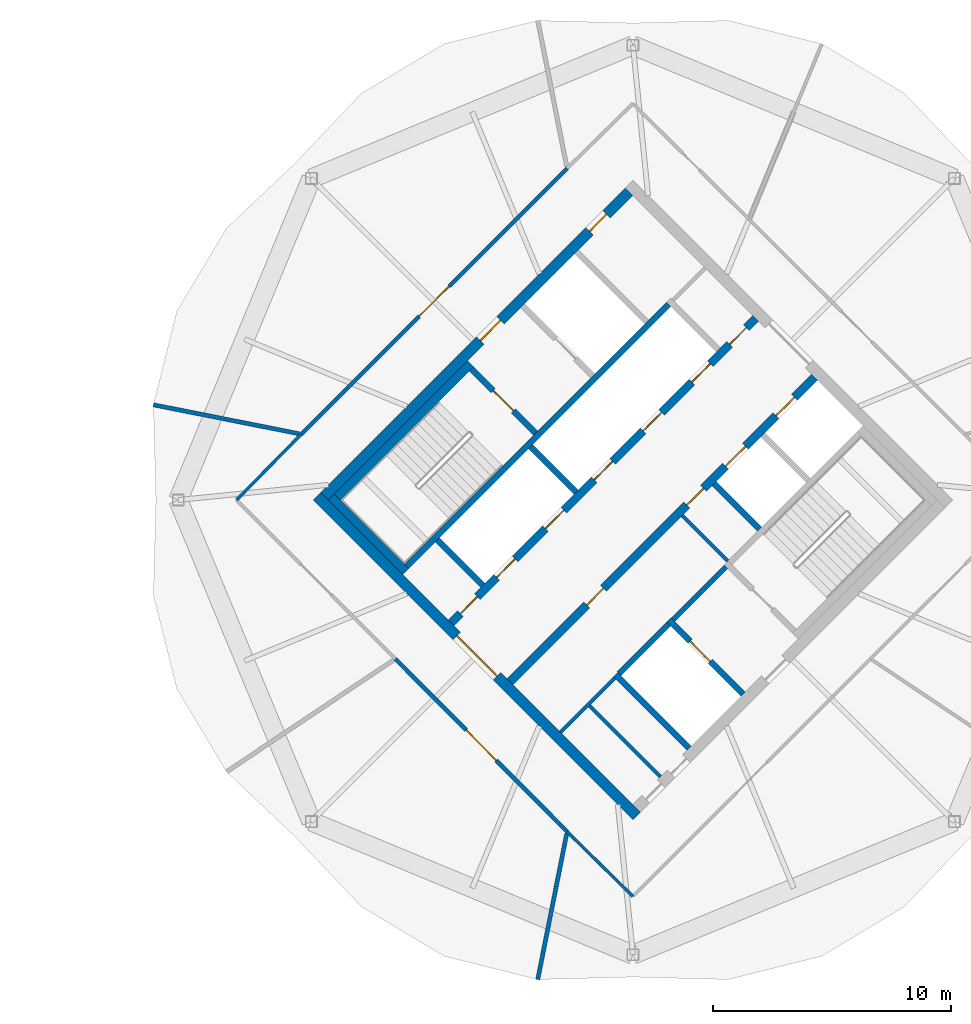
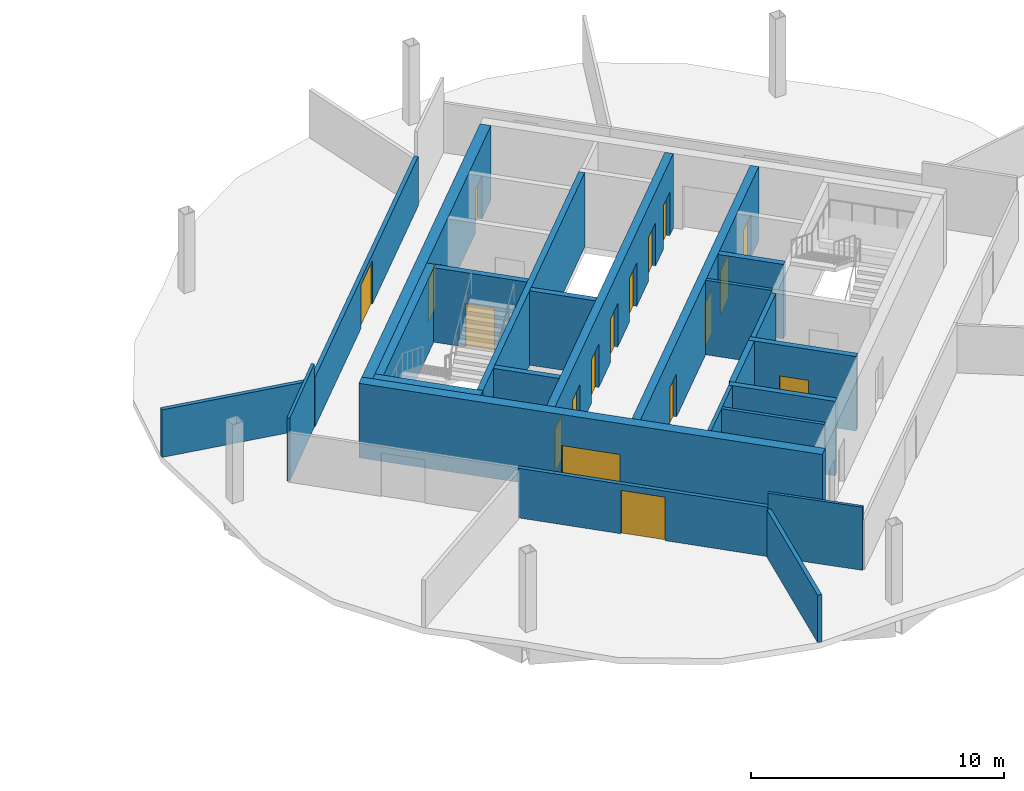
# One storey, part 7 of 10: 24 walls, 18 doors, 18 openings.
"""IFC4 building model written with IfcOpenShell, lengths in metres."""

from ifc_helpers import new_model, si_unit, direction, frame, frame_2d, origin, place, context, subcontext, project, spatial, rectangle, extrude, material, layer, layer_set, type_object, element, fill, save


model = new_model("IFC4")

# Units and contexts
model_context = context("Model", 3, precision=1e-05, world=origin(), true_north=direction((0.0, 1.0)))
body_context = subcontext(model_context, "Body", "Model", "MODEL_VIEW")
ifc_project = project(units=[si_unit("LENGTHUNIT", "METRE"), si_unit("AREAUNIT", "SQUARE_METRE"), si_unit("VOLUMEUNIT", "CUBIC_METRE"), si_unit("PLANEANGLEUNIT", "RADIAN"), si_unit("MASSUNIT", "GRAM", prefix="KILO")], contexts=[model_context])

# Site, building, storey
site_placement = place(None, origin())
site = spatial("IfcSite", under=ifc_project, at=site_placement, CompositionType="ELEMENT")
building_placement = place(site_placement, origin())
building = spatial("IfcBuilding", under=site, at=building_placement, Name="Ogive Gate Towers", CompositionType="ELEMENT")
storey_placement = place(building_placement, frame((0.0, 0.0, 236.699951171875)))
storey = spatial("IfcBuildingStorey", under=building, at=storey_placement, Name="L56", CompositionType="ELEMENT", Elevation=236.699951171875)

# Walls
ifc_material_1 = material(Name="Gypsum board acoustic partition")
ifc_layer_1 = layer(ifc_material_1, 0.175048828125)
ifc_layer_set_1 = layer_set([ifc_layer_1], Name="Acoustic partition 175")
wall_type_1 = type_object("IfcWallType", Name="Acoustic partition 175", PredefinedType="PARTITIONING", material=ifc_layer_set_1)
for number, where, z_axis, x_axis, name in (
    (1, (15.843505859375, 4.00048828125, 0.0), (0.0, 0.0, 1.0), (0.98086799922, -0.194674004702, 0.0), "Partition T2-L56-004"),
    (2, (31.99951171875, -20.156494140625, 0.0), (0.0, 0.0, 1.0), (0.194674004702, 0.98086799922, 0.0), "Partition T2-L56-006"),
):
    element("IfcWall", number, at=place(storey_placement, frame(where, z_axis=z_axis, x_axis=x_axis)), inside=storey, type_object=wall_type_1, Name=name, PredefinedType="PARTITIONING", context=body_context, shape_type="SweptSolid", body=[
        extrude(rectangle(XDim=6.251708984375, YDim=0.175048828125, at=frame_2d((3.1259765625, 0.0))), origin(), (0.0, 0.0, 1.0), 2.300048828125),
    ])

# Wall, opening, door
wall_1_placement = place(storey_placement, frame((26.0166015625, -6.677001953125, 0.0), z_axis=(0.0, 0.0, 1.0), x_axis=(0.704921475194, -0.70928535429, 0.0)))
wall_1 = element("IfcWall", 3, at=wall_1_placement, inside=storey, type_object=wall_type_1, Name="Partition T2-L56-010", PredefinedType="PARTITIONING", context=body_context, shape_type="SweptSolid", body=[
    extrude(rectangle(XDim=10.238037109375, YDim=0.175048828125, at=frame_2d((5.119140625, 0.0))), origin(), (0.0, 0.0, 1.0), 2.400146484375),
])
opening_1_placement = place(wall_1_placement, frame((4.218994140625, 0.0, 0.0)))
opening_1 = element("IfcOpeningElement", 4, at=opening_1_placement, cuts=wall_1, Name="Opening T2-L56-D02", PredefinedType="OPENING", context=body_context, shape_type="SweptSolid", body=[
    extrude(rectangle(XDim=1.800048828125, YDim=2.10009765625, at=frame_2d((0.89990234375, 1.050048828125))), frame((0.0, 0.09765625, 0.0), z_axis=(0.0, -1.0, 0.0), x_axis=(1.0, 0.0, 0.0)), (0.0, 0.0, 1.0), 0.195068359375),
])
ifc_material_2 = material(Name="Timber door", Category="wood")
door_type_1 = type_object("IfcDoorType", Name="Door pair 1800", OperationType="NOTDEFINED", PredefinedType="DOOR", material=ifc_material_2)
door_1_placement = place(opening_1_placement, origin())
door_1 = element("IfcDoor", 5, at=door_1_placement, inside=storey, type_object=door_type_1, Name="Door T2-L56-D02", OperationType="DOUBLE_DOOR_DOUBLE_SWING", OverallHeight=2.10009765625, OverallWidth=1.800048828125, PredefinedType="DOOR", context=body_context, shape_type="SweptSolid", body=[
    extrude(rectangle(XDim=1.800048828125, YDim=2.10009765625, at=frame_2d((0.89990234375, 1.050048828125))), frame((0.0, 0.02490234375, 0.0), z_axis=(0.0, -1.0, 0.0), x_axis=(1.0, 0.0, 0.0)), (0.0, 0.0, 1.0), 0.050048828125),
])
fill(opening_1, door_1)

wall_2_placement = place(storey_placement, frame((33.233642578125, 13.938720703125, 0.0), z_axis=(0.0, 0.0, 1.0), x_axis=(-0.707106781187, -0.707106781187, 0.0)))
wall_2 = element("IfcWall", 6, at=wall_2_placement, inside=storey, type_object=wall_type_1, Name="Partition T2-L56-018", PredefinedType="PARTITIONING", context=body_context, shape_type="SweptSolid", body=[
    extrude(rectangle(XDim=15.800048828125, YDim=0.175048828125, at=frame_2d((7.89990234375, 0.0))), origin(), (0.0, 0.0, 1.0), 2.400146484375),
])
opening_2_placement = place(wall_2_placement, frame((7.0, 0.0, 0.0)))
opening_2 = element("IfcOpeningElement", 7, at=opening_2_placement, cuts=wall_2, Name="Opening T2-L56-D07", PredefinedType="OPENING", context=body_context, shape_type="SweptSolid", body=[
    extrude(rectangle(XDim=1.800048828125, YDim=2.10009765625, at=frame_2d((0.89990234375, 1.050048828125))), frame((0.0, 0.09765625, 0.0), z_axis=(0.0, -1.0, 0.0), x_axis=(1.0, 0.0, 0.0)), (0.0, 0.0, 1.0), 0.195068359375),
])
door_2_placement = place(opening_2_placement, origin())
door_2 = element("IfcDoor", 8, at=door_2_placement, inside=storey, type_object=door_type_1, Name="Door T2-L56-D07", OperationType="DOUBLE_DOOR_DOUBLE_SWING", OverallHeight=2.10009765625, OverallWidth=1.800048828125, PredefinedType="DOOR", context=body_context, shape_type="SweptSolid", body=[
    extrude(rectangle(XDim=1.800048828125, YDim=2.10009765625, at=frame_2d((0.89990234375, 1.050048828125))), frame((0.0, 0.02490234375, 0.0), z_axis=(0.0, -1.0, 0.0), x_axis=(1.0, 0.0, 0.0)), (0.0, 0.0, 1.0), 0.050048828125),
])
fill(opening_2, door_2)

# Wall
ifc_material_3 = material(Name="Masonry blockwork", Category="masonry")
ifc_layer_2 = layer(ifc_material_3, 0.199951171875)
ifc_layer_set_2 = layer_set([ifc_layer_2], Name="Blockwork wall 200 mm")
wall_type_2 = type_object("IfcWallType", Name="Blockwork wall 200 mm", PredefinedType="PARTITIONING", material=ifc_layer_set_2)
wall_3_placement = place(storey_placement, frame((37.679443359375, -5.0380859375, 0.0), z_axis=(0.0, 0.0, 1.0), x_axis=(0.707106781187, 0.707106781187, 0.0)))
element("IfcWall", 9, at=wall_3_placement, inside=storey, type_object=wall_type_2, Name="T2 L56 Blockwork wall 200 mm", PredefinedType="PARTITIONING", context=body_context, shape_type="SweptSolid", body=[
    extrude(rectangle(XDim=3.14990234375, YDim=0.199951171875, at=frame_2d((1.574951171875, 0.0))), origin(), (0.0, 0.0, 1.0), 3.60009765625),
])

# Wall, openings, doors
ifc_material_4 = material(Name="Concrete C60/75", Category="concrete")
ifc_layer_3 = layer(ifc_material_4, 0.449951171875)
ifc_layer_set_3 = layer_set([ifc_layer_3], Name="Core wall 450 mm")
wall_type_3 = type_object("IfcWallType", Name="Core wall 450 mm", PredefinedType="SHEAR", material=ifc_layer_set_3)
wall_4_placement = place(storey_placement, frame((23.042236328125, 0.1591796875, 0.0), z_axis=(0.0, 0.0, 1.0), x_axis=(0.707106781187, 0.707106781187, 0.0)))
wall_4 = element("IfcWall", 10, at=wall_4_placement, inside=storey, type_object=wall_type_3, Name="T2 L56 Core wall 450 mm", PredefinedType="SHEAR", context=body_context, shape_type="SweptSolid", body=[
    extrude(rectangle(XDim=18.099853515625, YDim=0.449951171875, at=frame_2d((9.0498046875, 0.0))), origin(), (0.0, 0.0, 1.0), 3.60009765625),
])
opening_3_placement = place(wall_4_placement, frame((9.25, 0.0, 0.0)))
opening_3 = element("IfcOpeningElement", 11, at=opening_3_placement, cuts=wall_4, Name="Opening KD-T2-L56-18", PredefinedType="OPENING", context=body_context, shape_type="SweptSolid", body=[
    extrude(rectangle(XDim=1.199951171875, YDim=2.10009765625, at=frame_2d((0.60009765625, 1.050048828125))), frame((0.0, 0.23486328125, 0.0), z_axis=(0.0, -1.0, 0.0), x_axis=(1.0, 0.0, 0.0)), (0.0, 0.0, 1.0), 0.469970703125),
])
opening_4_placement = place(wall_4_placement, frame((15.75, 0.0, 0.0)))
opening_4 = element("IfcOpeningElement", 12, at=opening_4_placement, cuts=wall_4, Name="Opening KD-T2-L56-20", PredefinedType="OPENING", context=body_context, shape_type="SweptSolid", body=[
    extrude(rectangle(XDim=1.0, YDim=2.10009765625, at=frame_2d((0.5, 1.050048828125))), frame((0.0, 0.23486328125, 0.0), z_axis=(0.0, -1.0, 0.0), x_axis=(1.0, 0.0, 0.0)), (0.0, 0.0, 1.0), 0.469970703125),
])
door_type_2 = type_object("IfcDoorType", Name="Accessible WC door 1000 x 2100", OperationType="NOTDEFINED", PredefinedType="DOOR", material=ifc_material_2)
door_3_placement = place(opening_4_placement, origin())
door_3 = element("IfcDoor", 13, at=door_3_placement, inside=storey, type_object=door_type_2, Name="T2 L56 Core door", OperationType="SINGLE_SWING_LEFT", OverallHeight=2.10009765625, OverallWidth=1.0, PredefinedType="DOOR", context=body_context, shape_type="SweptSolid", body=[
    extrude(rectangle(XDim=1.0, YDim=2.10009765625, at=frame_2d((0.5, 1.050048828125))), frame((0.0, 0.02490234375, 0.0), z_axis=(0.0, -1.0, 0.0), x_axis=(1.0, 0.0, 0.0)), (0.0, 0.0, 1.0), 0.050048828125),
])
fill(opening_4, door_3)
ifc_material_5 = material(Name="Steel fire door", Category="steel")
door_type_3 = type_object("IfcDoorType", Name="Core door FD60S 1200 x 2100", OperationType="NOTDEFINED", PredefinedType="DOOR", material=ifc_material_5)
door_4_placement = place(opening_3_placement, origin())
door_4 = element("IfcDoor", 14, at=door_4_placement, inside=storey, type_object=door_type_3, Name="T2 L56 Fire-fighting lobby door", OperationType="SINGLE_SWING_LEFT", OverallHeight=2.10009765625, OverallWidth=1.199951171875, PredefinedType="DOOR", context=body_context, shape_type="SweptSolid", body=[
    extrude(rectangle(XDim=1.199951171875, YDim=2.10009765625, at=frame_2d((0.60009765625, 1.050048828125))), frame((0.0, 0.02490234375, 0.0), z_axis=(0.0, -1.0, 0.0), x_axis=(1.0, 0.0, 0.0)), (0.0, 0.0, 1.0), 0.050048828125),
])
fill(opening_3, door_4)

# Wall, opening, door
wall_5_placement = place(storey_placement, frame((36.1591796875, -13.27587890625, 0.0), z_axis=(0.0, 0.0, 1.0), x_axis=(-0.707106781187, 0.707106781187, 0.0)))
wall_5 = element("IfcWall", 15, at=wall_5_placement, inside=storey, type_object=wall_type_3, Name="T2 L56 Core wall 450 mm", PredefinedType="SHEAR", context=body_context, shape_type="SweptSolid", body=[
    extrude(rectangle(XDim=19.0, YDim=0.449951171875, at=frame_2d((9.5, 0.0))), origin(), (0.0, 0.0, 1.0), 3.60009765625),
])
opening_5_placement = place(wall_5_placement, frame((8.300048828125, 0.0, 0.0)))
opening_5 = element("IfcOpeningElement", 16, at=opening_5_placement, cuts=wall_5, Name="Opening KD-T2-L56-01", PredefinedType="OPENING", context=body_context, shape_type="SweptSolid", body=[
    extrude(rectangle(XDim=2.39990234375, YDim=2.10009765625, at=frame_2d((1.199951171875, 1.050048828125))), frame((0.0, 0.23486328125, 0.0), z_axis=(0.0, -1.0, 0.0), x_axis=(1.0, 0.0, 0.0)), (0.0, 0.0, 1.0), 0.469970703125),
])
door_type_4 = type_object("IfcDoorType", Name="Core double door FD60S 2400 x 2100", OperationType="DOUBLE_DOOR_SINGLE_SWING", PredefinedType="DOOR", material=ifc_material_5)
door_5_placement = place(opening_5_placement, origin())
door_5 = element("IfcDoor", 17, at=door_5_placement, inside=storey, type_object=door_type_4, Name="T2 L56 Core door double", OperationType="DOUBLE_DOOR_SINGLE_SWING", OverallHeight=2.10009765625, OverallWidth=2.39990234375, PredefinedType="DOOR", context=body_context, shape_type="SweptSolid", body=[
    extrude(rectangle(XDim=2.39990234375, YDim=2.10009765625, at=frame_2d((1.199951171875, 1.050048828125))), frame((0.0, 0.02490234375, 0.0), z_axis=(0.0, -1.0, 0.0), x_axis=(1.0, 0.0, 0.0)), (0.0, 0.0, 1.0), 0.050048828125),
])
fill(opening_5, door_5)

# Walls
ifc_material_6 = material(Name="Gypsum board partition")
ifc_layer_4 = layer(ifc_material_6, 0.125)
ifc_layer_set_4 = layer_set([ifc_layer_4], Name="Partition 125")
wall_type_4 = type_object("IfcWallType", Name="Partition 125", PredefinedType="PARTITIONING", material=ifc_layer_set_4)
for number, where, z_axis, x_axis, name in (
    (18, (22.061279296875, 2.766357421875, 0.0), (0.0, 0.0, 1.0), (-0.701199130072, -0.712965483026, 0.0), "Partition T2-L56-009"),
    (19, (33.233642578125, -13.938720703125, 0.0), (0.0, 0.0, 1.0), (0.712965483026, -0.701199130072, 0.0), "Partition T2-L56-012"),
):
    element("IfcWall", number, at=place(storey_placement, frame(where, z_axis=z_axis, x_axis=x_axis)), inside=storey, type_object=wall_type_4, Name=name, PredefinedType="PARTITIONING", context=body_context, shape_type="SweptSolid", body=[
        extrude(rectangle(XDim=3.880126953125, YDim=0.125, at=frame_2d((1.93994140625, 0.0))), origin(), (0.0, 0.0, 1.0), 3.050048828125),
    ])
ifc_layer_5 = layer(ifc_material_6, 0.14990234375)
ifc_layer_set_5 = layer_set([ifc_layer_5], Name="Room partition 150 mm")
wall_type_5 = type_object("IfcWallType", Name="Room partition 150 mm", PredefinedType="PARTITIONING", material=ifc_layer_set_5)
wall_6_placement = place(storey_placement, frame((32.95947265625, -9.758056640625, 0.0), z_axis=(0.0, 0.0, 1.0), x_axis=(0.707144631829, 0.707068928518, 0.0)))
element("IfcWall", 20, at=wall_6_placement, inside=storey, type_object=wall_type_5, Name="T2 L56 Room partition 150 mm", PredefinedType="PARTITIONING", context=body_context, shape_type="SweptSolid", body=[
    extrude(rectangle(XDim=3.224853515625, YDim=0.14990234375, at=frame_2d((1.6123046875, 0.0))), origin(), (0.0, 0.0, 1.0), 3.60009765625),
])
wall_7_placement = place(storey_placement, frame((37.166748046875, -11.6318359375, 0.0), z_axis=(0.0, 0.0, 1.0), x_axis=(-0.707106781187, 0.707106781187, 0.0)))
element("IfcWall", 21, at=wall_7_placement, inside=storey, type_object=wall_type_5, Name="T2 L56 Room partition 150 mm", PredefinedType="PARTITIONING", context=body_context, shape_type="SweptSolid", body=[
    extrude(rectangle(XDim=4.22509765625, YDim=0.14990234375, at=frame_2d((2.112548828125, 0.0))), origin(), (0.0, 0.0, 1.0), 3.60009765625),
])
wall_8_placement = place(storey_placement, frame((39.9775390625, -2.563232421875, 0.0), z_axis=(0.0, 0.0, 1.0), x_axis=(-0.707106781187, 0.707106781187, 0.0)))
element("IfcWall", 22, at=wall_8_placement, inside=storey, type_object=wall_type_5, Name="T2 L56 Room partition 150 mm", PredefinedType="PARTITIONING", context=body_context, shape_type="SweptSolid", body=[
    extrude(rectangle(XDim=2.699951171875, YDim=0.14990234375, at=frame_2d((1.35009765625, 0.0))), origin(), (0.0, 0.0, 1.0), 3.60009765625),
])
ifc_layer_6 = layer(ifc_material_4, 0.25)
ifc_layer_set_6 = layer_set([ifc_layer_6], Name="Shaft wall 250 mm")
wall_type_6 = type_object("IfcWallType", Name="Shaft wall 250 mm", PredefinedType="SHEAR", material=ifc_layer_set_6)
wall_9_placement = place(storey_placement, frame((35.41650390625, -7.30078125, 0.0), z_axis=(0.0, 0.0, 1.0), x_axis=(0.707148157867, 0.707065402085, 0.0)))
element("IfcWall", 23, at=wall_9_placement, inside=storey, type_object=wall_type_6, Name="T2 L56 Shaft wall 250 mm", PredefinedType="SHEAR", context=body_context, shape_type="SweptSolid", body=[
    extrude(rectangle(XDim=2.9501953125, YDim=0.25, at=frame_2d((1.47509765625, 0.0))), origin(), (0.0, 0.0, 1.0), 3.60009765625),
])
wall_10_placement = place(storey_placement, frame((26.489501953125, -2.793212890625, 0.0), z_axis=(0.0, 0.0, 1.0), x_axis=(0.707098943647, 0.70711461864, 0.0)))
element("IfcWall", 24, at=wall_10_placement, inside=storey, type_object=wall_type_6, Name="T2 L56 Shaft wall 250 mm", PredefinedType="SHEAR", context=body_context, shape_type="SweptSolid", body=[
    extrude(rectangle(XDim=15.5751953125, YDim=0.25, at=frame_2d((7.78759765625, 0.0))), origin(), (0.0, 0.0, 1.0), 3.60009765625),
])
wall_11_placement = place(storey_placement, frame((29.689208984375, -3.588623046875, 0.0), z_axis=(0.0, 0.0, 1.0), x_axis=(-0.707151988282, 0.707061571201, 0.0)))
element("IfcWall", 25, at=wall_11_placement, inside=storey, type_object=wall_type_6, Name="T2 L56 Shaft wall 250 mm", PredefinedType="SHEAR", context=body_context, shape_type="SweptSolid", body=[
    extrude(rectangle(XDim=2.7001953125, YDim=0.25, at=frame_2d((1.35009765625, 0.0))), origin(), (0.0, 0.0, 1.0), 3.60009765625),
])
wall_12_placement = place(storey_placement, frame((38.368896484375, -10.4296875, 0.0), z_axis=(0.0, 0.0, 1.0), x_axis=(-0.707134682099, 0.707078879173, 0.0)))
element("IfcWall", 26, at=wall_12_placement, inside=storey, type_object=wall_type_6, Name="T2 L56 Shaft wall 250 mm", PredefinedType="SHEAR", context=body_context, shape_type="SweptSolid", body=[
    extrude(rectangle(XDim=4.375, YDim=0.25, at=frame_2d((2.1875, 0.0))), origin(), (0.0, 0.0, 1.0), 3.60009765625),
])

# Wall, opening, door
wall_13_placement = place(storey_placement, frame((40.631591796875, -8.1669921875, 0.0), z_axis=(0.0, 0.0, 1.0), x_axis=(-0.707106781187, 0.707106781187, 0.0)))
wall_13 = element("IfcWall", 27, at=wall_13_placement, inside=storey, type_object=wall_type_6, Name="T2 L56 Shaft wall 250 mm", PredefinedType="SHEAR", context=body_context, shape_type="SweptSolid", body=[
    extrude(rectangle(XDim=4.425048828125, YDim=0.25, at=frame_2d((2.21240234375, 0.0))), origin(), (0.0, 0.0, 1.0), 3.60009765625),
])
opening_6_placement = place(wall_13_placement, frame((1.949951171875, 0.0, 0.0)))
opening_6 = element("IfcOpeningElement", 28, at=opening_6_placement, cuts=wall_13, Name="Opening LD-T2-L56-13", PredefinedType="OPENING", context=body_context, shape_type="SweptSolid", body=[
    extrude(rectangle(XDim=1.199951171875, YDim=2.10009765625, at=frame_2d((0.60009765625, 1.050048828125))), frame((0.0, 0.135009765625, 0.0), z_axis=(0.0, -1.0, 0.0), x_axis=(1.0, 0.0, 0.0)), (0.0, 0.0, 1.0), 0.27001953125),
])
ifc_material_7 = material(Name="Stainless steel landing door", Category="steel")
door_type_5 = type_object("IfcDoorType", Name="Landing door 1200 x 2100", OperationType="SLIDING_TO_LEFT", PredefinedType="DOOR", material=ifc_material_7)
door_6_placement = place(opening_6_placement, origin())
door_6 = element("IfcDoor", 29, at=door_6_placement, inside=storey, type_object=door_type_5, Name="T2 L56 Lift landing door FF2", OperationType="SLIDING_TO_LEFT", OverallHeight=2.10009765625, OverallWidth=1.199951171875, PredefinedType="DOOR", context=body_context, shape_type="SweptSolid", body=[
    extrude(rectangle(XDim=1.199951171875, YDim=2.10009765625, at=frame_2d((0.60009765625, 1.050048828125))), frame((0.0, 0.02490234375, 0.0), z_axis=(0.0, -1.0, 0.0), x_axis=(1.0, 0.0, 0.0)), (0.0, 0.0, 1.0), 0.050048828125),
])
fill(opening_6, door_6)

# Wall
wall_14_placement = place(storey_placement, frame((33.613525390625, 0.3359375, 0.0), z_axis=(0.0, 0.0, 1.0), x_axis=(-0.707106781187, 0.707106781187, 0.0)))
element("IfcWall", 30, at=wall_14_placement, inside=storey, type_object=wall_type_6, Name="T2 L56 Shaft wall 250 mm", PredefinedType="SHEAR", context=body_context, shape_type="SweptSolid", body=[
    extrude(rectangle(XDim=2.699951171875, YDim=0.25, at=frame_2d((1.35009765625, 0.0))), origin(), (0.0, 0.0, 1.0), 3.60009765625),
])

# Wall, opening, door
wall_15_placement = place(storey_placement, frame((31.91650390625, 2.810791015625, 0.0), z_axis=(0.0, 0.0, 1.0), x_axis=(-0.707106781187, 0.707106781187, 0.0)))
wall_15 = element("IfcWall", 31, at=wall_15_placement, inside=storey, type_object=wall_type_6, Name="T2 L56 Shaft wall 250 mm", PredefinedType="SHEAR", context=body_context, shape_type="SweptSolid", body=[
    extrude(rectangle(XDim=3.824951171875, YDim=0.25, at=frame_2d((1.91259765625, 0.0))), origin(), (0.0, 0.0, 1.0), 3.60009765625),
])
opening_7_placement = place(wall_15_placement, frame((1.324951171875, 0.0, 0.0)))
opening_7 = element("IfcOpeningElement", 32, at=opening_7_placement, cuts=wall_15, Name="Opening KD-T2-L56-16", PredefinedType="OPENING", context=body_context, shape_type="SweptSolid", body=[
    extrude(rectangle(XDim=1.199951171875, YDim=2.10009765625, at=frame_2d((0.60009765625, 1.050048828125))), frame((0.0, 0.135009765625, 0.0), z_axis=(0.0, -1.0, 0.0), x_axis=(1.0, 0.0, 0.0)), (0.0, 0.0, 1.0), 0.27001953125),
])
door_7_placement = place(opening_7_placement, origin())
door_7 = element("IfcDoor", 33, at=door_7_placement, inside=storey, type_object=door_type_3, Name="T2 L56 Stair door", OperationType="SINGLE_SWING_LEFT", OverallHeight=2.10009765625, OverallWidth=1.199951171875, PredefinedType="DOOR", context=body_context, shape_type="SweptSolid", body=[
    extrude(rectangle(XDim=1.199951171875, YDim=2.10009765625, at=frame_2d((0.60009765625, 1.050048828125))), frame((0.0, 0.02490234375, 0.0), z_axis=(0.0, -1.0, 0.0), x_axis=(1.0, 0.0, 0.0)), (0.0, 0.0, 1.0), 0.050048828125),
])
fill(opening_7, door_7)

# Wall
wall_16_placement = place(storey_placement, frame((41.321044921875, -1.2197265625, 0.0), z_axis=(0.0, 0.0, 1.0), x_axis=(-0.707106781187, 0.707106781187, 0.0)))
element("IfcWall", 34, at=wall_16_placement, inside=storey, type_object=wall_type_6, Name="T2 L56 Shaft wall 250 mm", PredefinedType="SHEAR", context=body_context, shape_type="SweptSolid", body=[
    extrude(rectangle(XDim=2.699951171875, YDim=0.25, at=frame_2d((1.35009765625, 0.0))), origin(), (0.0, 0.0, 1.0), 3.60009765625),
])

# Wall, openings, doors
ifc_layer_7 = layer(ifc_material_4, 0.35009765625)
ifc_layer_set_7 = layer_set([ifc_layer_7], Name="Spine wall 350 mm")
wall_type_7 = type_object("IfcWallType", Name="Spine wall 350 mm", PredefinedType="SHEAR", material=ifc_layer_set_7)
wall_17_placement = place(storey_placement, frame((30.838134765625, -7.63671875, 0.0), z_axis=(0.0, 0.0, 1.0), x_axis=(0.707106781187, 0.707106781187, 0.0)))
wall_17 = element("IfcWall", 35, at=wall_17_placement, inside=storey, type_object=wall_type_7, Name="T2 L56 Spine wall 350 mm", PredefinedType="SHEAR", context=body_context, shape_type="SweptSolid", body=[
    extrude(rectangle(XDim=18.099853515625, YDim=0.35009765625, at=frame_2d((9.0498046875, 0.0))), origin(), (0.0, 0.0, 1.0), 3.60009765625),
])
opening_8_placement = place(wall_17_placement, frame((12.800048828125, 0.0, 0.0)))
opening_8 = element("IfcOpeningElement", 36, at=opening_8_placement, cuts=wall_17, Name="Opening LD-T2-L56-10", PredefinedType="OPENING", context=body_context, shape_type="SweptSolid", body=[
    extrude(rectangle(XDim=1.199951171875, YDim=2.10009765625, at=frame_2d((0.60009765625, 1.050048828125))), frame((0.0, 0.18505859375, 0.0), z_axis=(0.0, -1.0, 0.0), x_axis=(1.0, 0.0, 0.0)), (0.0, 0.0, 1.0), 0.3701171875),
])
opening_9_placement = place(wall_17_placement, frame((15.800048828125, 0.0, 0.0)))
opening_9 = element("IfcOpeningElement", 37, at=opening_9_placement, cuts=wall_17, Name="Opening LD-T2-L56-11", PredefinedType="OPENING", context=body_context, shape_type="SweptSolid", body=[
    extrude(rectangle(XDim=1.10009765625, YDim=2.10009765625, at=frame_2d((0.550048828125, 1.050048828125))), frame((0.0, 0.18505859375, 0.0), z_axis=(0.0, -1.0, 0.0), x_axis=(1.0, 0.0, 0.0)), (0.0, 0.0, 1.0), 0.3701171875),
])
opening_10_placement = place(wall_17_placement, frame((4.550048828125, 0.0, 0.0)))
opening_10 = element("IfcOpeningElement", 38, at=opening_10_placement, cuts=wall_17, Name="Opening KD-T2-L56-14", PredefinedType="OPENING", context=body_context, shape_type="SweptSolid", body=[
    extrude(rectangle(XDim=1.0, YDim=2.10009765625, at=frame_2d((0.5, 1.050048828125))), frame((0.0, 0.18505859375, 0.0), z_axis=(0.0, -1.0, 0.0), x_axis=(1.0, 0.0, 0.0)), (0.0, 0.0, 1.0), 0.3701171875),
])
opening_11_placement = place(wall_17_placement, frame((10.5, 0.0, 0.0)))
opening_11 = element("IfcOpeningElement", 39, at=opening_11_placement, cuts=wall_17, Name="Opening KD-T2-L56-15", PredefinedType="OPENING", context=body_context, shape_type="SweptSolid", body=[
    extrude(rectangle(XDim=1.0, YDim=2.10009765625, at=frame_2d((0.5, 1.050048828125))), frame((0.0, 0.18505859375, 0.0), z_axis=(0.0, -1.0, 0.0), x_axis=(1.0, 0.0, 0.0)), (0.0, 0.0, 1.0), 0.3701171875),
])
door_type_6 = type_object("IfcDoorType", Name="Core door FD60S 1000 x 2100", OperationType="NOTDEFINED", PredefinedType="DOOR", material=ifc_material_5)
door_8_placement = place(opening_10_placement, origin())
door_8 = element("IfcDoor", 40, at=door_8_placement, inside=storey, type_object=door_type_6, Name="T2 L56 Core door", OperationType="SINGLE_SWING_LEFT", OverallHeight=2.10009765625, OverallWidth=1.0, PredefinedType="DOOR", context=body_context, shape_type="SweptSolid", body=[
    extrude(rectangle(XDim=1.0, YDim=2.10009765625, at=frame_2d((0.5, 1.050048828125))), frame((0.0, 0.02490234375, 0.0), z_axis=(0.0, -1.0, 0.0), x_axis=(1.0, 0.0, 0.0)), (0.0, 0.0, 1.0), 0.050048828125),
])
fill(opening_10, door_8)
door_9_placement = place(opening_11_placement, origin())
door_9 = element("IfcDoor", 41, at=door_9_placement, inside=storey, type_object=door_type_6, Name="T2 L56 Core door", OperationType="SINGLE_SWING_RIGHT", OverallHeight=2.10009765625, OverallWidth=1.0, PredefinedType="DOOR", context=body_context, shape_type="SweptSolid", body=[
    extrude(rectangle(XDim=1.0, YDim=2.10009765625, at=frame_2d((0.5, 1.050048828125))), frame((0.0, 0.02490234375, 0.0), z_axis=(0.0, -1.0, 0.0), x_axis=(1.0, 0.0, 0.0)), (0.0, 0.0, 1.0), 0.050048828125),
])
fill(opening_11, door_9)
door_type_7 = type_object("IfcDoorType", Name="Landing door 1100 x 2100", OperationType="SLIDING_TO_LEFT", PredefinedType="DOOR", material=ifc_material_7)
door_10_placement = place(opening_9_placement, origin())
door_10 = element("IfcDoor", 42, at=door_10_placement, inside=storey, type_object=door_type_7, Name="T2 L56 Lift landing door B6", OperationType="SLIDING_TO_LEFT", OverallHeight=2.10009765625, OverallWidth=1.10009765625, PredefinedType="DOOR", context=body_context, shape_type="SweptSolid", body=[
    extrude(rectangle(XDim=1.10009765625, YDim=2.10009765625, at=frame_2d((0.550048828125, 1.050048828125))), frame((0.0, 0.02490234375, 0.0), z_axis=(0.0, -1.0, 0.0), x_axis=(1.0, 0.0, 0.0)), (0.0, 0.0, 1.0), 0.050048828125),
])
fill(opening_9, door_10)
door_11_placement = place(opening_8_placement, origin())
door_11 = element("IfcDoor", 43, at=door_11_placement, inside=storey, type_object=door_type_5, Name="T2 L56 Lift landing door SVC", OperationType="SLIDING_TO_LEFT", OverallHeight=2.10009765625, OverallWidth=1.199951171875, PredefinedType="DOOR", context=body_context, shape_type="SweptSolid", body=[
    extrude(rectangle(XDim=1.199951171875, YDim=2.10009765625, at=frame_2d((0.60009765625, 1.050048828125))), frame((0.0, 0.02490234375, 0.0), z_axis=(0.0, -1.0, 0.0), x_axis=(1.0, 0.0, 0.0)), (0.0, 0.0, 1.0), 0.050048828125),
])
fill(opening_8, door_11)

wall_18_placement = place(storey_placement, frame((28.36328125, -5.161865234375, 0.0), z_axis=(0.0, 0.0, 1.0), x_axis=(0.707106781187, 0.707106781187, 0.0)))
wall_18 = element("IfcWall", 44, at=wall_18_placement, inside=storey, type_object=wall_type_7, Name="T2 L56 Spine wall 350 mm", PredefinedType="SHEAR", context=body_context, shape_type="SweptSolid", body=[
    extrude(rectangle(XDim=18.099853515625, YDim=0.35009765625, at=frame_2d((9.0498046875, 0.0))), origin(), (0.0, 0.0, 1.0), 3.60009765625),
])
opening_12_placement = place(wall_18_placement, frame((0.550048828125, 0.0, 0.0)))
opening_12 = element("IfcOpeningElement", 45, at=opening_12_placement, cuts=wall_18, Name="Opening KD-T2-L56-03", PredefinedType="OPENING", context=body_context, shape_type="SweptSolid", body=[
    extrude(rectangle(XDim=1.0, YDim=2.10009765625, at=frame_2d((0.5, 1.050048828125))), frame((0.0, 0.18505859375, 0.0), z_axis=(0.0, -1.0, 0.0), x_axis=(1.0, 0.0, 0.0)), (0.0, 0.0, 1.0), 0.3701171875),
])
opening_13_placement = place(wall_18_placement, frame((2.699951171875, 0.0, 0.0)))
opening_13 = element("IfcOpeningElement", 46, at=opening_13_placement, cuts=wall_18, Name="Opening LD-T2-L56-04", PredefinedType="OPENING", context=body_context, shape_type="SweptSolid", body=[
    extrude(rectangle(XDim=1.10009765625, YDim=2.10009765625, at=frame_2d((0.550048828125, 1.050048828125))), frame((0.0, 0.18505859375, 0.0), z_axis=(0.0, -1.0, 0.0), x_axis=(1.0, 0.0, 0.0)), (0.0, 0.0, 1.0), 0.3701171875),
])
opening_14_placement = place(wall_18_placement, frame((5.60009765625, 0.0, 0.0)))
opening_14 = element("IfcOpeningElement", 47, at=opening_14_placement, cuts=wall_18, Name="Opening LD-T2-L56-05", PredefinedType="OPENING", context=body_context, shape_type="SweptSolid", body=[
    extrude(rectangle(XDim=1.10009765625, YDim=2.10009765625, at=frame_2d((0.550048828125, 1.050048828125))), frame((0.0, 0.18505859375, 0.0), z_axis=(0.0, -1.0, 0.0), x_axis=(1.0, 0.0, 0.0)), (0.0, 0.0, 1.0), 0.3701171875),
])
opening_15_placement = place(wall_18_placement, frame((8.5, 0.0, 0.0)))
opening_15 = element("IfcOpeningElement", 48, at=opening_15_placement, cuts=wall_18, Name="Opening LD-T2-L56-06", PredefinedType="OPENING", context=body_context, shape_type="SweptSolid", body=[
    extrude(rectangle(XDim=1.10009765625, YDim=2.10009765625, at=frame_2d((0.550048828125, 1.050048828125))), frame((0.0, 0.18505859375, 0.0), z_axis=(0.0, -1.0, 0.0), x_axis=(1.0, 0.0, 0.0)), (0.0, 0.0, 1.0), 0.3701171875),
])
opening_16_placement = place(wall_18_placement, frame((11.39990234375, 0.0, 0.0)))
opening_16 = element("IfcOpeningElement", 49, at=opening_16_placement, cuts=wall_18, Name="Opening LD-T2-L56-07", PredefinedType="OPENING", context=body_context, shape_type="SweptSolid", body=[
    extrude(rectangle(XDim=1.10009765625, YDim=2.10009765625, at=frame_2d((0.550048828125, 1.050048828125))), frame((0.0, 0.18505859375, 0.0), z_axis=(0.0, -1.0, 0.0), x_axis=(1.0, 0.0, 0.0)), (0.0, 0.0, 1.0), 0.3701171875),
])
opening_17_placement = place(wall_18_placement, frame((14.300048828125, 0.0, 0.0)))
opening_17 = element("IfcOpeningElement", 50, at=opening_17_placement, cuts=wall_18, Name="Opening LD-T2-L56-08", PredefinedType="OPENING", context=body_context, shape_type="SweptSolid", body=[
    extrude(rectangle(XDim=1.10009765625, YDim=2.10009765625, at=frame_2d((0.550048828125, 1.050048828125))), frame((0.0, 0.18505859375, 0.0), z_axis=(0.0, -1.0, 0.0), x_axis=(1.0, 0.0, 0.0)), (0.0, 0.0, 1.0), 0.3701171875),
])
opening_18_placement = place(wall_18_placement, frame((16.550048828125, 0.0, 0.0)))
opening_18 = element("IfcOpeningElement", 51, at=opening_18_placement, cuts=wall_18, Name="Opening KD-T2-L56-09", PredefinedType="OPENING", context=body_context, shape_type="SweptSolid", body=[
    extrude(rectangle(XDim=1.0, YDim=2.10009765625, at=frame_2d((0.5, 1.050048828125))), frame((0.0, 0.18505859375, 0.0), z_axis=(0.0, -1.0, 0.0), x_axis=(1.0, 0.0, 0.0)), (0.0, 0.0, 1.0), 0.3701171875),
])
door_12_placement = place(opening_12_placement, origin())
door_12 = element("IfcDoor", 52, at=door_12_placement, inside=storey, type_object=door_type_6, Name="T2 L56 Core door", OperationType="SINGLE_SWING_RIGHT", OverallHeight=2.10009765625, OverallWidth=1.0, PredefinedType="DOOR", context=body_context, shape_type="SweptSolid", body=[
    extrude(rectangle(XDim=1.0, YDim=2.10009765625, at=frame_2d((0.5, 1.050048828125))), frame((0.0, 0.02490234375, 0.0), z_axis=(0.0, -1.0, 0.0), x_axis=(1.0, 0.0, 0.0)), (0.0, 0.0, 1.0), 0.050048828125),
])
fill(opening_12, door_12)
door_13_placement = place(opening_18_placement, origin())
door_13 = element("IfcDoor", 53, at=door_13_placement, inside=storey, type_object=door_type_6, Name="T2 L56 Core door", OperationType="SINGLE_SWING_RIGHT", OverallHeight=2.10009765625, OverallWidth=1.0, PredefinedType="DOOR", context=body_context, shape_type="SweptSolid", body=[
    extrude(rectangle(XDim=1.0, YDim=2.10009765625, at=frame_2d((0.5, 1.050048828125))), frame((0.0, 0.02490234375, 0.0), z_axis=(0.0, -1.0, 0.0), x_axis=(1.0, 0.0, 0.0)), (0.0, 0.0, 1.0), 0.050048828125),
])
fill(opening_18, door_13)
door_14_placement = place(opening_13_placement, origin())
door_14 = element("IfcDoor", 54, at=door_14_placement, inside=storey, type_object=door_type_7, Name="T2 L56 Lift landing door B1", OperationType="SLIDING_TO_LEFT", OverallHeight=2.10009765625, OverallWidth=1.10009765625, PredefinedType="DOOR", context=body_context, shape_type="SweptSolid", body=[
    extrude(rectangle(XDim=1.10009765625, YDim=2.10009765625, at=frame_2d((0.550048828125, 1.050048828125))), frame((0.0, 0.02490234375, 0.0), z_axis=(0.0, -1.0, 0.0), x_axis=(1.0, 0.0, 0.0)), (0.0, 0.0, 1.0), 0.050048828125),
])
fill(opening_13, door_14)
door_15_placement = place(opening_14_placement, origin())
door_15 = element("IfcDoor", 55, at=door_15_placement, inside=storey, type_object=door_type_7, Name="T2 L56 Lift landing door B2", OperationType="SLIDING_TO_LEFT", OverallHeight=2.10009765625, OverallWidth=1.10009765625, PredefinedType="DOOR", context=body_context, shape_type="SweptSolid", body=[
    extrude(rectangle(XDim=1.10009765625, YDim=2.10009765625, at=frame_2d((0.550048828125, 1.050048828125))), frame((0.0, 0.02490234375, 0.0), z_axis=(0.0, -1.0, 0.0), x_axis=(1.0, 0.0, 0.0)), (0.0, 0.0, 1.0), 0.050048828125),
])
fill(opening_14, door_15)
door_16_placement = place(opening_15_placement, origin())
door_16 = element("IfcDoor", 56, at=door_16_placement, inside=storey, type_object=door_type_7, Name="T2 L56 Lift landing door B3", OperationType="SLIDING_TO_LEFT", OverallHeight=2.10009765625, OverallWidth=1.10009765625, PredefinedType="DOOR", context=body_context, shape_type="SweptSolid", body=[
    extrude(rectangle(XDim=1.10009765625, YDim=2.10009765625, at=frame_2d((0.550048828125, 1.050048828125))), frame((0.0, 0.02490234375, 0.0), z_axis=(0.0, -1.0, 0.0), x_axis=(1.0, 0.0, 0.0)), (0.0, 0.0, 1.0), 0.050048828125),
])
fill(opening_15, door_16)
door_17_placement = place(opening_16_placement, origin())
door_17 = element("IfcDoor", 57, at=door_17_placement, inside=storey, type_object=door_type_7, Name="T2 L56 Lift landing door B4", OperationType="SLIDING_TO_LEFT", OverallHeight=2.10009765625, OverallWidth=1.10009765625, PredefinedType="DOOR", context=body_context, shape_type="SweptSolid", body=[
    extrude(rectangle(XDim=1.10009765625, YDim=2.10009765625, at=frame_2d((0.550048828125, 1.050048828125))), frame((0.0, 0.02490234375, 0.0), z_axis=(0.0, -1.0, 0.0), x_axis=(1.0, 0.0, 0.0)), (0.0, 0.0, 1.0), 0.050048828125),
])
fill(opening_16, door_17)
door_18_placement = place(opening_17_placement, origin())
door_18 = element("IfcDoor", 58, at=door_18_placement, inside=storey, type_object=door_type_7, Name="T2 L56 Lift landing door B5", OperationType="SLIDING_TO_LEFT", OverallHeight=2.10009765625, OverallWidth=1.10009765625, PredefinedType="DOOR", context=body_context, shape_type="SweptSolid", body=[
    extrude(rectangle(XDim=1.10009765625, YDim=2.10009765625, at=frame_2d((0.550048828125, 1.050048828125))), frame((0.0, 0.02490234375, 0.0), z_axis=(0.0, -1.0, 0.0), x_axis=(1.0, 0.0, 0.0)), (0.0, 0.0, 1.0), 0.050048828125),
])
fill(opening_17, door_18)

# Walls
ifc_layer_8 = layer(ifc_material_4, 0.35009765625)
ifc_layer_set_8 = layer_set([ifc_layer_8], Name="Stair wall 350 mm")
wall_type_8 = type_object("IfcWallType", Name="Stair wall 350 mm", PredefinedType="SHEAR", material=ifc_layer_set_8)
wall_19_placement = place(storey_placement, frame((23.572509765625, 0.123779296875, 0.0), z_axis=(0.0, 0.0, 1.0), x_axis=(0.707122184046, 0.707091377991, 0.0)))
element("IfcWall", 59, at=wall_19_placement, inside=storey, type_object=wall_type_8, Name="T2 L56 Stair wall 350 mm", PredefinedType="SHEAR", context=body_context, shape_type="SweptSolid", body=[
    extrude(rectangle(XDim=7.925048828125, YDim=0.35009765625, at=frame_2d((3.96240234375, 0.0))), origin(), (0.0, 0.0, 1.0), 3.60009765625),
])
wall_20_placement = place(storey_placement, frame((26.4541015625, -3.005126953125, 0.0), z_axis=(0.0, 0.0, 1.0), x_axis=(-0.707106781187, 0.707106781187, 0.0)))
element("IfcWall", 60, at=wall_20_placement, inside=storey, type_object=wall_type_8, Name="T2 L56 Stair wall 350 mm", PredefinedType="SHEAR", context=body_context, shape_type="SweptSolid", body=[
    extrude(rectangle(XDim=4.425048828125, YDim=0.35009765625, at=frame_2d((2.21240234375, 0.0))), origin(), (0.0, 0.0, 1.0), 3.60009765625),
])

save(model, "model.ifc")
